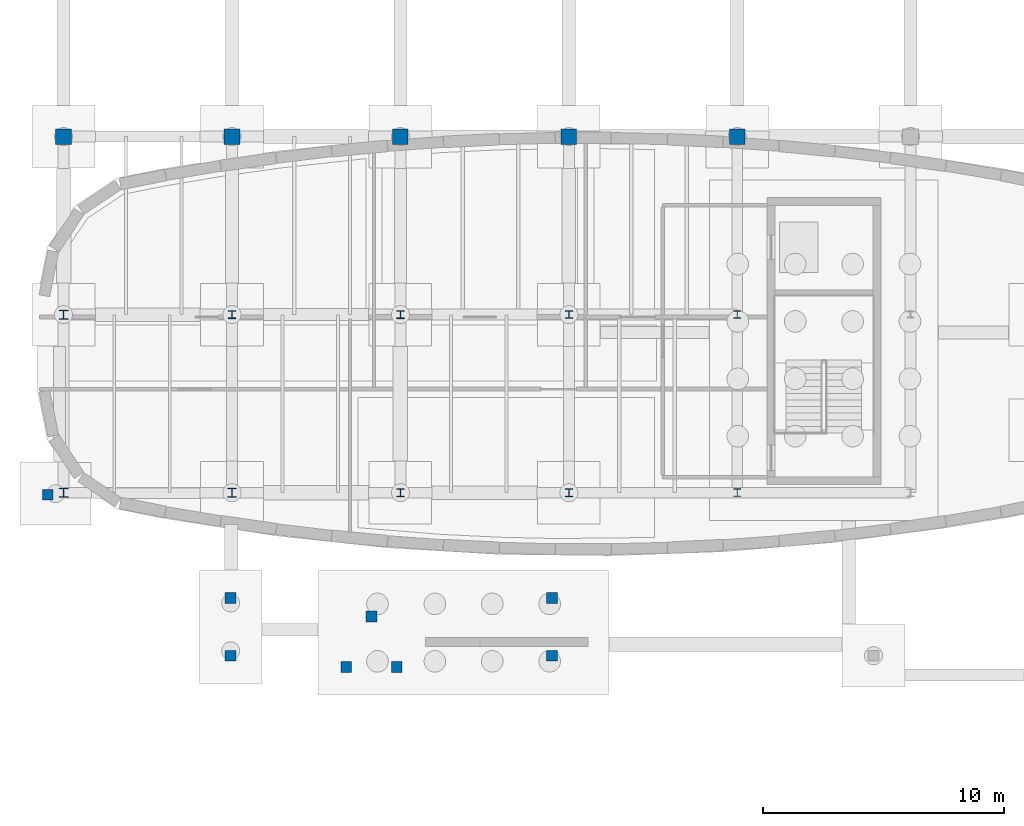
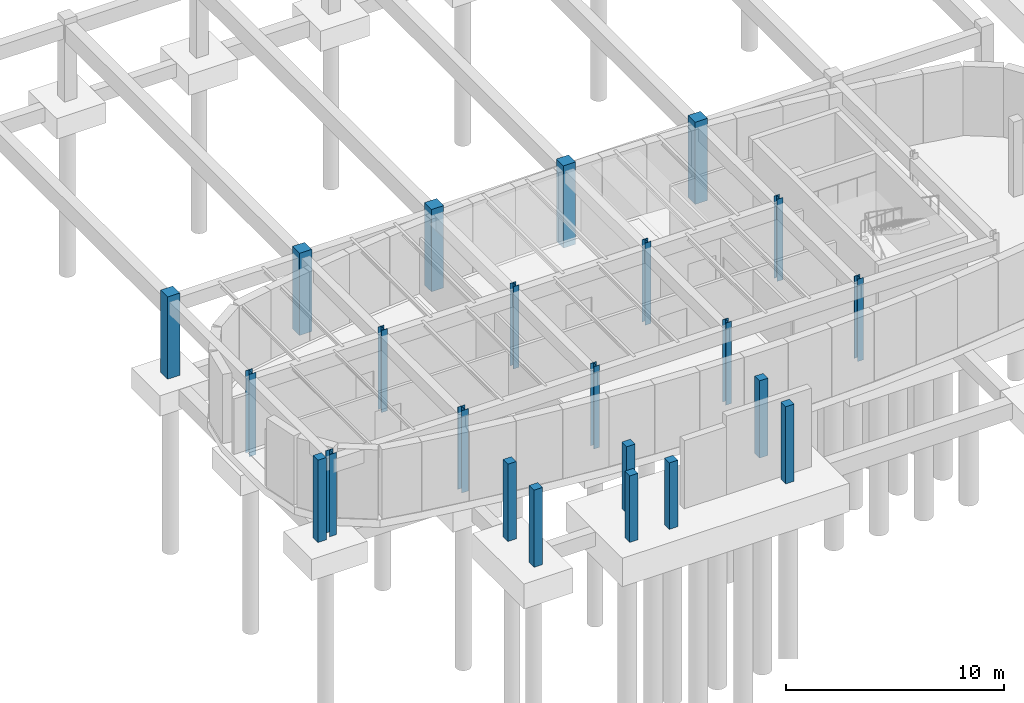
# One storey, part 12 of 45: 23 columns.
"""IFC4 building model written with IfcOpenShell, lengths in metres."""

from ifc_helpers import new_model, si_unit, direction, frame, origin, origin_2d, place, context, subcontext, project, spatial, rectangle, i_section, extrude, material, material_profile, profile_set, type_object, element, save


model = new_model("IFC4")

# Units and contexts
model_context = context("Model", 3, precision=1e-05, world=origin(), true_north=direction((0.0, 1.0)))
body_context = subcontext(model_context, "Body", "Model", "MODEL_VIEW")
ifc_project = project(units=[si_unit("LENGTHUNIT", "METRE"), si_unit("AREAUNIT", "SQUARE_METRE"), si_unit("VOLUMEUNIT", "CUBIC_METRE"), si_unit("PLANEANGLEUNIT", "RADIAN"), si_unit("MASSUNIT", "GRAM", prefix="KILO")], contexts=[model_context])

# Site, building, storey
site_placement = place(None, origin())
site = spatial("IfcSite", under=ifc_project, at=site_placement, CompositionType="ELEMENT")
building_placement = place(site_placement, origin())
building = spatial("IfcBuilding", under=site, at=building_placement, Name="Corveleigh Park Community Centre", CompositionType="ELEMENT")
storey_placement = place(building_placement, frame((0.0, 0.0, -4.199951171875)))
storey = spatial("IfcBuildingStorey", under=building, at=storey_placement, Name="B1", CompositionType="ELEMENT", Elevation=-4.199951171875)

# Columns
ifc_material_1 = material(Name="Concrete C40/50", Category="concrete")
ifc_material_profile_1 = material_profile(ifc_material_1, rectangle(XDim=0.449951171875, YDim=0.449951171875, at=origin_2d()), Name="RC-450x450", Category="concrete")
ifc_profile_set_1 = profile_set([ifc_material_profile_1], Name="Concrete C40/50")
column_type_1 = type_object("IfcColumnType", Name="COL-RC-450x450", PredefinedType="COLUMN", material=ifc_profile_set_1)
for number, where, z_axis, x_axis, name in (
    (1, (22.949951171875, 70.75, -0.4150390625), (0.0, 0.0, 1.0), (1.0, 0.0, 0.0), "External deck support pier 69 B1"),
    (2, (25.050048828125, 70.75, -0.4150390625), (0.0, 0.0, 1.0), (1.0, 0.0, 0.0), "External deck support pier 70 B1"),
    (3, (24.0, 72.85009765625, -0.4150390625), (0.0, 0.0, 1.0), (1.0, 0.0, 0.0), "External deck support pier 71 B1"),
):
    element("IfcColumn", number, at=place(storey_placement, frame(where, z_axis=z_axis, x_axis=x_axis)), inside=storey, type_object=column_type_1, Name=name, PredefinedType="COLUMN", context=body_context, shape_type="SweptSolid", body=[
        extrude(rectangle(XDim=0.449951171875, YDim=0.449951171875, at=origin_2d()), origin(), (0.0, 0.0, 1.0), 3.73291015625),
    ])
column_1_placement = place(storey_placement, frame((10.5400390625, 77.916015625, -0.4150390625), z_axis=(0.0, 0.0, 1.0), x_axis=(1.0, 0.0, 0.0)))
element("IfcColumn", 4, at=column_1_placement, inside=storey, type_object=column_type_1, Name="External deck support pier 134 B1", PredefinedType="COLUMN", context=body_context, shape_type="SweptSolid", body=[
    extrude(rectangle(XDim=0.449951171875, YDim=0.449951171875, at=origin_2d()), origin(), (0.0, 0.0, 1.0), 4.614990234375),
])
for number, where, z_axis, x_axis, name in (
    (5, (18.14404296875, 71.22509765625, -0.4150390625), (0.0, 0.0, 1.0), (1.0, 0.0, 0.0), "External deck support pier 166 B1"),
    (6, (18.14404296875, 73.62109375, -0.4150390625), (0.0, 0.0, 1.0), (1.0, 0.0, 0.0), "External deck support pier 167 B1"),
    (7, (31.5029296875, 71.22509765625, -0.4150390625), (0.0, 0.0, 1.0), (1.0, 0.0, 0.0), "External deck support pier 168 B1"),
    (8, (31.5029296875, 73.62109375, -0.4150390625), (0.0, 0.0, 1.0), (1.0, 0.0, 0.0), "External deck support pier 169 B1"),
):
    element("IfcColumn", number, at=place(storey_placement, frame(where, z_axis=z_axis, x_axis=x_axis)), inside=storey, type_object=column_type_1, Name=name, PredefinedType="COLUMN", context=body_context, shape_type="SweptSolid", body=[
        extrude(rectangle(XDim=0.449951171875, YDim=0.449951171875, at=origin_2d()), origin(), (0.0, 0.0, 1.0), 4.3330078125),
    ])
ifc_material_profile_2 = material_profile(ifc_material_1, rectangle(XDim=0.64990234375, YDim=0.64990234375, at=origin_2d()), Name="RC-650x650", Category="concrete")
ifc_profile_set_2 = profile_set([ifc_material_profile_2], Name="Concrete C40/50")
column_type_2 = type_object("IfcColumnType", Name="COL-RC-650x650", PredefinedType="COLUMN", material=ifc_profile_set_2)
for number, where, z_axis, x_axis, name in (
    (9, (11.199951171875, 92.800048828125, -0.4150390625), (0.0, 0.0, 1.0), (1.0, 0.0, 0.0), "Column V2-HS1 B1"),
    (10, (18.199951171875, 92.800048828125, -0.4150390625), (0.0, 0.0, 1.0), (1.0, 0.0, 0.0), "Column V2-HS2 B1"),
    (11, (25.199951171875, 92.800048828125, -0.4150390625), (0.0, 0.0, 1.0), (1.0, 0.0, 0.0), "Column V2-HS3 B1"),
    (12, (32.199951171875, 92.800048828125, -0.4150390625), (0.0, 0.0, 1.0), (1.0, 0.0, 0.0), "Column V2-HS4 B1"),
    (13, (39.199951171875, 92.800048828125, -0.4150390625), (0.0, 0.0, 1.0), (1.0, 0.0, 0.0), "Column V2-HS5 B1"),
):
    element("IfcColumn", number, at=place(storey_placement, frame(where, z_axis=z_axis, x_axis=x_axis)), inside=storey, type_object=column_type_2, Name=name, PredefinedType="COLUMN", context=body_context, shape_type="SweptSolid", body=[
        extrude(rectangle(XDim=0.64990234375, YDim=0.64990234375, at=origin_2d()), origin(), (0.0, 0.0, 1.0), 4.614990234375),
    ])
ifc_material_2 = material(Name="Steel S355", Category="steel")
ifc_material_profile_3 = material_profile(ifc_material_2, i_section(OverallWidth=0.307373046875, OverallDepth=0.314453125, WebThickness=0.011962890625, FlangeThickness=0.018798828125, at=origin_2d()), Name="UKC 305x305x118", Category="steel")
ifc_profile_set_3 = profile_set([ifc_material_profile_3], Name="Steel S355")
column_type_3 = type_object("IfcColumnType", Name="COL-STL-UKC305x118", PredefinedType="COLUMN", material=ifc_profile_set_3)
for number, where, z_axis, x_axis, name in (
    (14, (32.199951171875, 85.39990234375, -0.4150390625), (0.0, 0.0, 1.0), (1.0, 0.0, 0.0), "Column V2-ST-X3Y1 B1"),
    (15, (39.199951171875, 78.0, -0.4150390625), (0.0, 0.0, 1.0), (1.0, 0.0, 0.0), "Column V2-ST-X4Y0 B1"),
):
    element("IfcColumn", number, at=place(storey_placement, frame(where, z_axis=z_axis, x_axis=x_axis)), inside=storey, type_object=column_type_3, Name=name, PredefinedType="COLUMN", context=body_context, shape_type="SweptSolid", body=[
        extrude(i_section(OverallWidth=0.307373046875, OverallDepth=0.314453125, WebThickness=0.011962890625, FlangeThickness=0.018798828125, at=origin_2d()), origin(), (0.0, 0.0, 1.0), 4.614990234375),
    ])
ifc_material_profile_4 = material_profile(ifc_material_2, i_section(OverallWidth=0.30908203125, OverallDepth=0.320556640625, WebThickness=0.013916015625, FlangeThickness=0.021728515625, at=origin_2d()), Name="UKC 305x305x137", Category="steel")
ifc_profile_set_4 = profile_set([ifc_material_profile_4], Name="Steel S355")
column_type_4 = type_object("IfcColumnType", Name="COL-STL-UKC305x137", PredefinedType="COLUMN", material=ifc_profile_set_4)
for number, where, z_axis, x_axis, name in (
    (16, (25.199951171875, 85.39990234375, -0.4150390625), (0.0, 0.0, 1.0), (1.0, 0.0, 0.0), "Column V2-ST-X2Y1 B1"),
    (17, (32.199951171875, 78.0, -0.4150390625), (0.0, 0.0, 1.0), (1.0, 0.0, 0.0), "Column V2-ST-X3Y0 B1"),
):
    element("IfcColumn", number, at=place(storey_placement, frame(where, z_axis=z_axis, x_axis=x_axis)), inside=storey, type_object=column_type_4, Name=name, PredefinedType="COLUMN", context=body_context, shape_type="SweptSolid", body=[
        extrude(i_section(OverallWidth=0.30908203125, OverallDepth=0.320556640625, WebThickness=0.013916015625, FlangeThickness=0.021728515625, at=origin_2d()), origin(), (0.0, 0.0, 1.0), 4.614990234375),
    ])
ifc_material_profile_5 = material_profile(ifc_material_2, i_section(OverallWidth=0.311279296875, OverallDepth=0.3271484375, WebThickness=0.015869140625, FlangeThickness=0.02490234375, at=origin_2d()), Name="UKC 305x305x158", Category="steel")
ifc_profile_set_5 = profile_set([ifc_material_profile_5], Name="Steel S355")
column_type_5 = type_object("IfcColumnType", Name="COL-STL-UKC305x158", PredefinedType="COLUMN", material=ifc_profile_set_5)
for number, where, z_axis, x_axis, name in (
    (18, (18.199951171875, 85.39990234375, -0.4150390625), (0.0, 0.0, 1.0), (1.0, 0.0, 0.0), "Column V2-ST-X1Y1 B1"),
    (19, (25.199951171875, 78.0, -0.4150390625), (0.0, 0.0, 1.0), (1.0, 0.0, 0.0), "Column V2-ST-X2Y0 B1"),
):
    element("IfcColumn", number, at=place(storey_placement, frame(where, z_axis=z_axis, x_axis=x_axis)), inside=storey, type_object=column_type_5, Name=name, PredefinedType="COLUMN", context=body_context, shape_type="SweptSolid", body=[
        extrude(i_section(OverallWidth=0.311279296875, OverallDepth=0.3271484375, WebThickness=0.015869140625, FlangeThickness=0.02490234375, at=origin_2d()), origin(), (0.0, 0.0, 1.0), 4.614990234375),
    ])
ifc_material_profile_6 = material_profile(ifc_material_2, i_section(OverallWidth=0.305419921875, OverallDepth=0.307861328125, WebThickness=0.010009765625, FlangeThickness=0.015380859375, at=origin_2d()), Name="UKC 305x305x97", Category="steel")
ifc_profile_set_6 = profile_set([ifc_material_profile_6], Name="Steel S355")
column_type_6 = type_object("IfcColumnType", Name="COL-STL-UKC305x97", PredefinedType="COLUMN", material=ifc_profile_set_6)
column_2_placement = place(storey_placement, frame((39.199951171875, 85.39990234375, -0.4150390625), z_axis=(0.0, 0.0, 1.0), x_axis=(1.0, 0.0, 0.0)))
element("IfcColumn", 20, at=column_2_placement, inside=storey, type_object=column_type_6, Name="Column V2-ST-X4Y1 B1", PredefinedType="COLUMN", context=body_context, shape_type="SweptSolid", body=[
    extrude(i_section(OverallWidth=0.305419921875, OverallDepth=0.307861328125, WebThickness=0.010009765625, FlangeThickness=0.015380859375, at=origin_2d()), origin(), (0.0, 0.0, 1.0), 4.614990234375),
])
ifc_material_profile_7 = material_profile(ifc_material_2, i_section(OverallWidth=0.37060546875, OverallDepth=0.362060546875, WebThickness=0.01220703125, FlangeThickness=0.020751953125, at=origin_2d()), Name="UKC 356x368x153", Category="steel")
ifc_profile_set_7 = profile_set([ifc_material_profile_7], Name="Steel S355")
column_type_7 = type_object("IfcColumnType", Name="COL-STL-UKC356x153", PredefinedType="COLUMN", material=ifc_profile_set_7)
for number, where, z_axis, x_axis, name in (
    (21, (11.199951171875, 85.39990234375, -0.4150390625), (0.0, 0.0, 1.0), (1.0, 0.0, 0.0), "Column V2-ST-X0Y1 B1"),
    (22, (18.199951171875, 78.0, -0.4150390625), (0.0, 0.0, 1.0), (1.0, 0.0, 0.0), "Column V2-ST-X1Y0 B1"),
):
    element("IfcColumn", number, at=place(storey_placement, frame(where, z_axis=z_axis, x_axis=x_axis)), inside=storey, type_object=column_type_7, Name=name, PredefinedType="COLUMN", context=body_context, shape_type="SweptSolid", body=[
        extrude(i_section(OverallWidth=0.37060546875, OverallDepth=0.362060546875, WebThickness=0.01220703125, FlangeThickness=0.020751953125, at=origin_2d()), origin(), (0.0, 0.0, 1.0), 4.614990234375),
    ])
ifc_material_profile_8 = material_profile(ifc_material_2, i_section(OverallWidth=0.37255859375, OverallDepth=0.3681640625, WebThickness=0.014404296875, FlangeThickness=0.023681640625, at=origin_2d()), Name="UKC 356x368x177", Category="steel")
ifc_profile_set_8 = profile_set([ifc_material_profile_8], Name="Steel S355")
column_type_8 = type_object("IfcColumnType", Name="COL-STL-UKC356x177", PredefinedType="COLUMN", material=ifc_profile_set_8)
column_3_placement = place(storey_placement, frame((11.199951171875, 78.0, -0.4150390625), z_axis=(0.0, 0.0, 1.0), x_axis=(1.0, 0.0, 0.0)))
element("IfcColumn", 23, at=column_3_placement, inside=storey, type_object=column_type_8, Name="Column V2-ST-X0Y0 B1", PredefinedType="COLUMN", context=body_context, shape_type="SweptSolid", body=[
    extrude(i_section(OverallWidth=0.37255859375, OverallDepth=0.3681640625, WebThickness=0.014404296875, FlangeThickness=0.023681640625, at=origin_2d()), origin(), (0.0, 0.0, 1.0), 4.614990234375),
])

save(model, "model.ifc")
